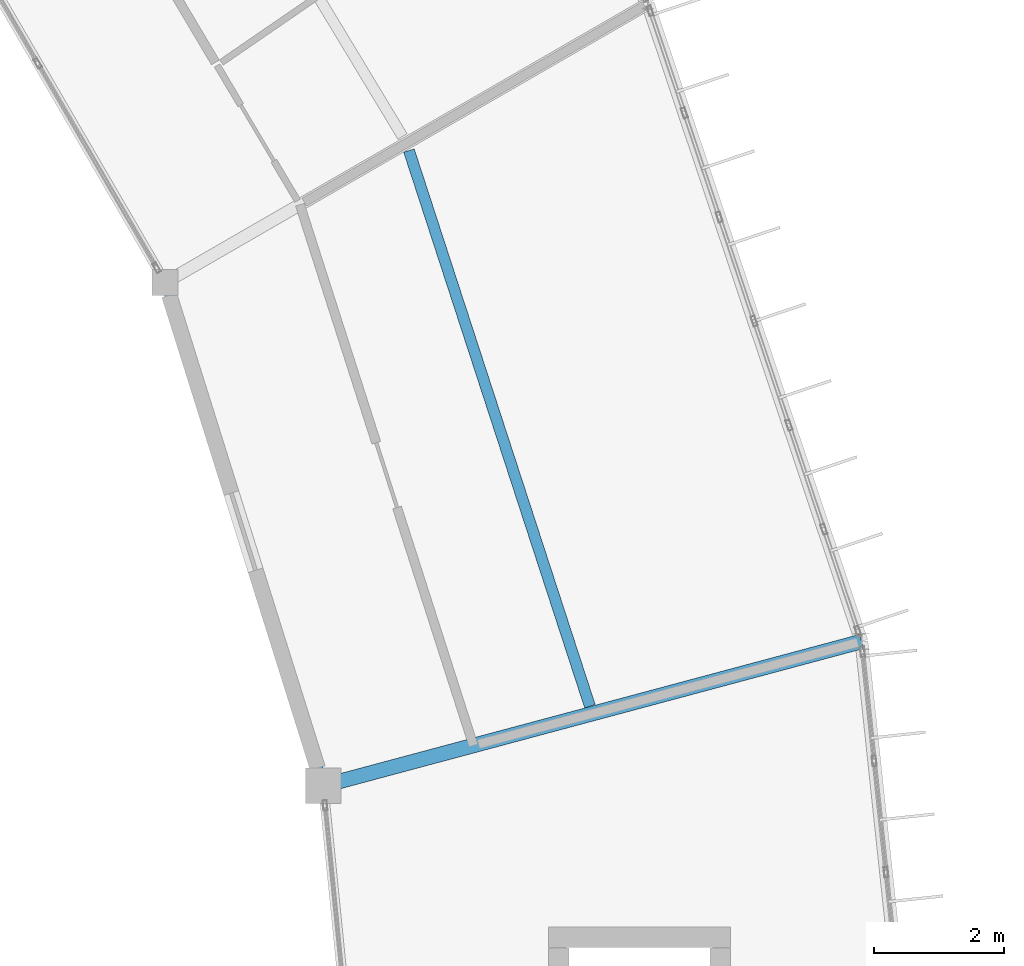
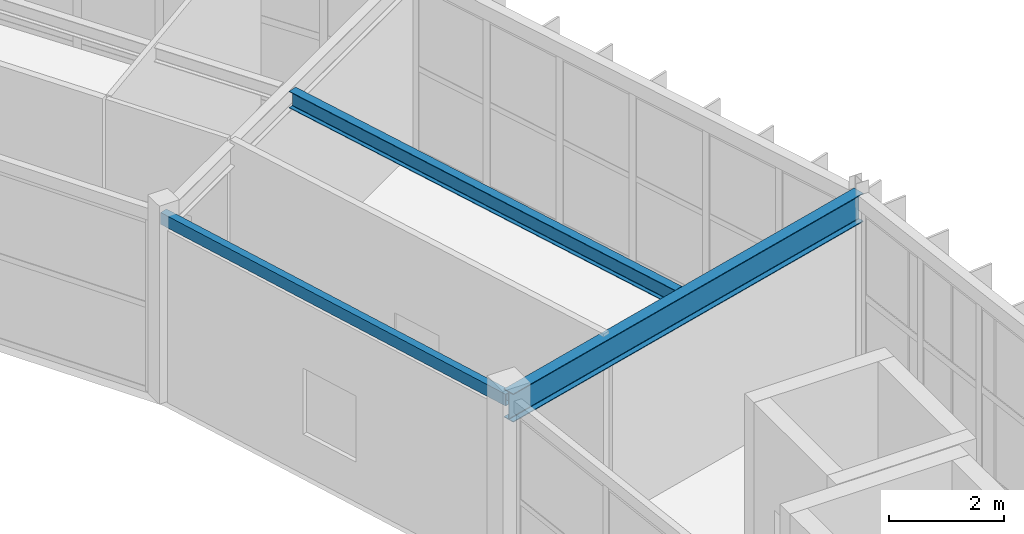
# One storey, part 52 of 106: 3 beams.
"""IFC4 building model written with IfcOpenShell, lengths in metres."""

from ifc_helpers import new_model, si_unit, direction, frame, origin, origin_2d, place, context, subcontext, project, spatial, hollow_rectangle, i_section, extrude, material, material_profile, profile_set, type_object, element, save


model = new_model("IFC4")

# Units and contexts
model_context = context("Model", 3, precision=1e-05, world=origin(), true_north=direction((0.0, 1.0)))
body_context = subcontext(model_context, "Body", "Model", "MODEL_VIEW")
ifc_project = project(units=[si_unit("LENGTHUNIT", "METRE"), si_unit("AREAUNIT", "SQUARE_METRE"), si_unit("VOLUMEUNIT", "CUBIC_METRE"), si_unit("PLANEANGLEUNIT", "RADIAN"), si_unit("MASSUNIT", "GRAM", prefix="KILO")], contexts=[model_context])

# Site, building, storey
site_placement = place(None, origin())
site = spatial("IfcSite", under=ifc_project, at=site_placement, CompositionType="ELEMENT")
building_placement = place(site_placement, origin())
building = spatial("IfcBuilding", under=site, at=building_placement, Name="Karori Crest Natural Sciences Institute", CompositionType="ELEMENT")
storey_placement = place(building_placement, frame((0.0, 0.0, 25.89990234375)))
storey = spatial("IfcBuildingStorey", under=building, at=storey_placement, Name="L06", CompositionType="ELEMENT", Elevation=25.89990234375)

# Beams
ifc_material_1 = material(Name="Hollow structural steel AS/NZS 1163 Grade C350", Category="steel")
ifc_material_profile_1 = material_profile(ifc_material_1, hollow_rectangle(XDim=0.14990234375, YDim=0.25, WallThickness=0.009033203125, at=origin_2d()), Name="RHS250x150x9")
ifc_profile_set_1 = profile_set([ifc_material_profile_1], Name="Hollow structural steel AS/NZS 1163 Grade C350")
beam_type_1 = type_object("IfcBeamType", Name="BT-16", PredefinedType="SPANDREL", material=ifc_profile_set_1)
beam_1_placement = place(storey_placement, frame((89.968505859375, 58.23388671875, 3.7900390625), z_axis=(-0.299460006143, 0.954108853706, 0.0), x_axis=(-0.954108853706, -0.299460006143, 0.0)))
element("IfcBeam", 1, at=beam_1_placement, inside=storey, type_object=beam_type_1, Name="Beam B-0622", PredefinedType="SPANDREL", context=body_context, shape_type="SweptSolid", body=[
    extrude(hollow_rectangle(XDim=0.14990234375, YDim=0.25, WallThickness=0.009033203125, at=origin_2d()), origin(), (0.0, 0.0, 1.0), 8.1396484375),
])
ifc_material_2 = material(Name="Structural steel AS/NZS 3679.1 Grade 350", Category="steel")
ifc_material_profile_2 = material_profile(ifc_material_2, i_section(OverallWidth=0.22802734375, OverallDepth=0.60205078125, WebThickness=0.010498046875, FlangeThickness=0.014892578125, FilletRadius=0.013916015625, at=origin_2d()), Name="610UB101")
ifc_profile_set_2 = profile_set([ifc_material_profile_2], Name="Structural steel AS/NZS 3679.1 Grade 350")
beam_type_2 = type_object("IfcBeamType", Name="BT-27", PredefinedType="BEAM", material=ifc_profile_set_2)
beam_2_placement = place(storey_placement, frame((89.968505859375, 58.23388671875, 3.63916015625), z_axis=(0.96592752402, 0.258812709002, 0.0), x_axis=(-0.258812709002, 0.96592752402, 0.0)))
element("IfcBeam", 2, at=beam_2_placement, inside=storey, type_object=beam_type_2, Name="Beam B-0623", PredefinedType="BEAM", context=body_context, shape_type="SweptSolid", body=[
    extrude(i_section(OverallWidth=0.22802734375, OverallDepth=0.60205078125, WebThickness=0.010498046875, FlangeThickness=0.014892578125, FilletRadius=0.013916015625, at=origin_2d()), origin(), (0.0, 0.0, 1.0), 8.60009765625),
])
ifc_material_profile_3 = material_profile(ifc_material_2, i_section(OverallWidth=0.1708984375, OverallDepth=0.35595703125, WebThickness=0.00732421875, FlangeThickness=0.011474609375, FilletRadius=0.010986328125, at=origin_2d()), Name="360UB50.7")
ifc_profile_set_3 = profile_set([ifc_material_profile_3], Name="Structural steel AS/NZS 3679.1 Grade 350")
beam_type_3 = type_object("IfcBeamType", Name="BT-30", PredefinedType="BEAM", material=ifc_profile_set_3)
beam_3_placement = place(storey_placement, frame((94.0849609375, 59.4609375, 3.76220703125), z_axis=(-0.309698753032, 0.950834729262, 0.0), x_axis=(-0.950834729262, -0.309698753032, 0.0)))
element("IfcBeam", 3, at=beam_3_placement, inside=storey, type_object=beam_type_3, Name="Beam B-0624", PredefinedType="BEAM", context=body_context, shape_type="SweptSolid", body=[
    extrude(i_section(OverallWidth=0.1708984375, OverallDepth=0.35595703125, WebThickness=0.00732421875, FlangeThickness=0.011474609375, FilletRadius=0.010986328125, at=origin_2d()), origin(), (0.0, 0.0, 1.0), 9.018310546875),
])

save(model, "model.ifc")
